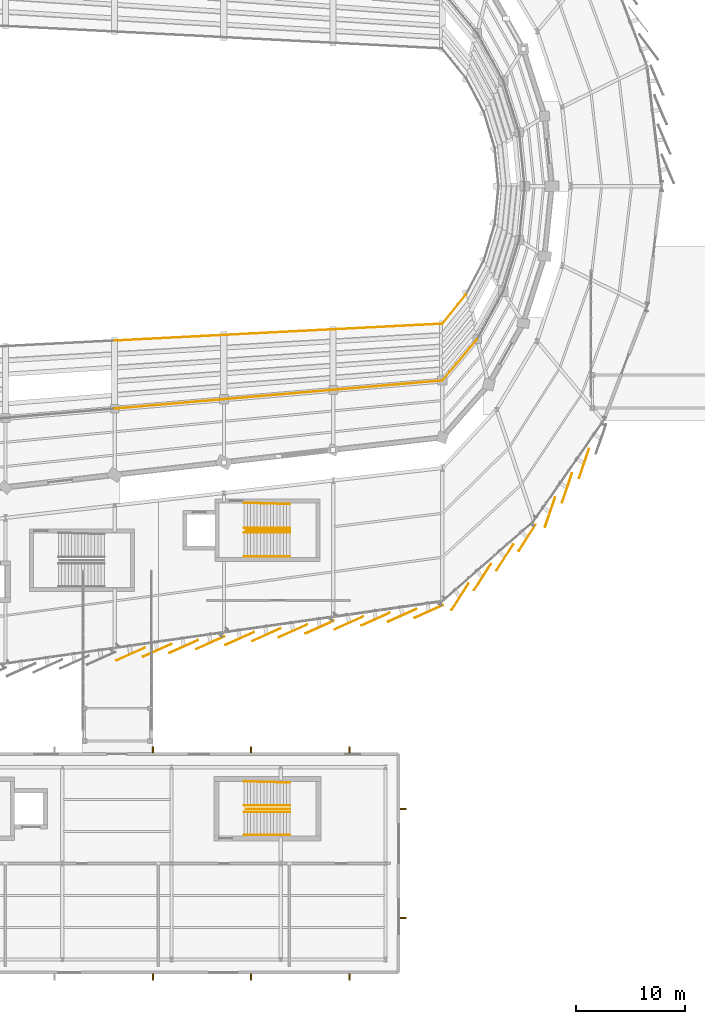
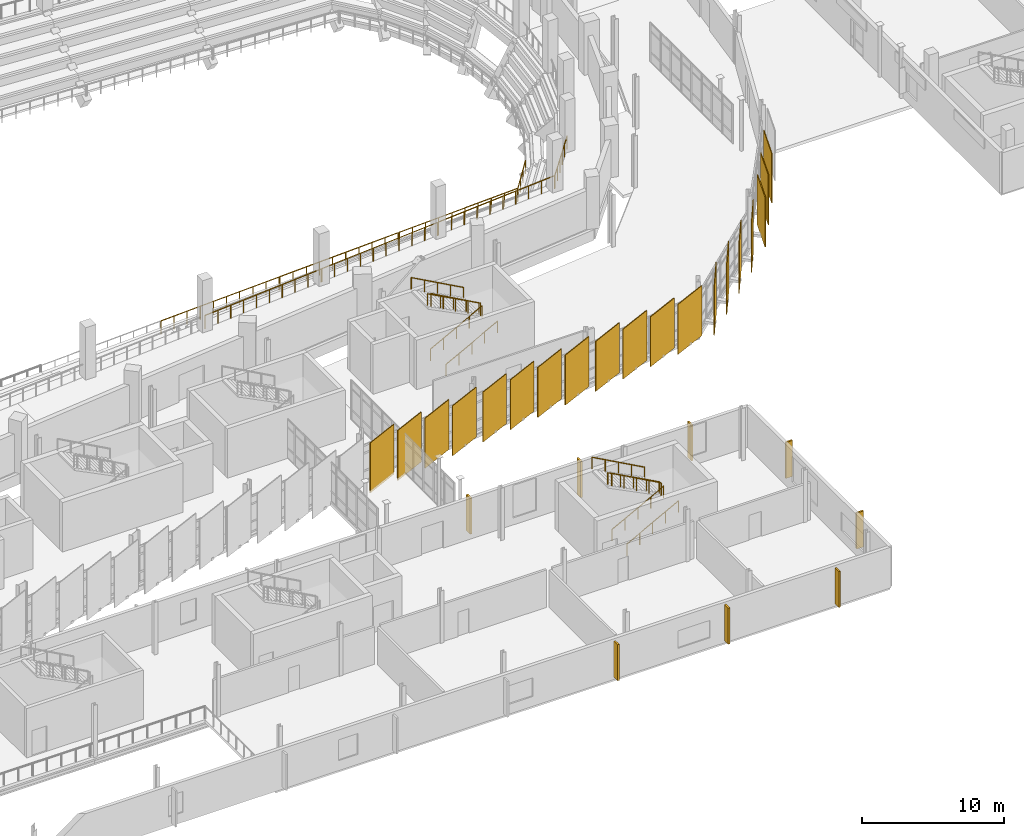
# One storey, part 130 of 134: 19 coverings, 18 railings, 8 shading devices.
"""IFC4 building model written with IfcOpenShell, lengths in metres."""

from ifc_helpers import new_model, si_unit, direction, frame, origin, origin_2d, place, context, subcontext, project, spatial, rectangle, circle, extrude, material, layer, layer_set, type_object, element, save


model = new_model("IFC4")

# Units and contexts
model_context = context("Model", 3, precision=1e-05, world=origin(), true_north=direction((0.0, 1.0)))
body_context = subcontext(model_context, "Body", "Model", "MODEL_VIEW")
ifc_project = project(units=[si_unit("LENGTHUNIT", "METRE"), si_unit("AREAUNIT", "SQUARE_METRE"), si_unit("VOLUMEUNIT", "CUBIC_METRE"), si_unit("PLANEANGLEUNIT", "RADIAN"), si_unit("MASSUNIT", "GRAM", prefix="KILO")], contexts=[model_context])

# Site, building, storey
site_placement = place(None, origin())
site = spatial("IfcSite", under=ifc_project, at=site_placement, CompositionType="ELEMENT")
building_placement = place(site_placement, origin())
building = spatial("IfcBuilding", under=site, at=building_placement, Name="Sohan Crest Arena", CompositionType="ELEMENT")
storey_placement = place(building_placement, frame((0.0, 0.0, 4.5)))
storey = spatial("IfcBuildingStorey", under=building, at=storey_placement, Name="L01", CompositionType="ELEMENT", Elevation=4.5)

# Railings
ifc_material_1 = material(Name="Powder-coated wrought steel balustrade", Category="steel")
railing_type_1 = type_object("IfcRailingType", Name="ARC-GRD-01", PredefinedType="GUARDRAIL", material=ifc_material_1)
for number, where, name in (
    (1, (154.030029296875, 46.5, 2.25), "Stair well slot guard GRD-052"),
    (2, (154.030029296875, 21.0, 2.25), "Stair well slot guard GRD-063"),
):
    element("IfcRailing", number, at=place(storey_placement, frame(where)), inside=storey, type_object=railing_type_1, Name=name, PredefinedType="GUARDRAIL", context=body_context, shape_type="SweptSolid", body=[
        extrude(circle(Radius=0.02392578125, at=origin_2d()), frame((0.0, 0.0, 1.076171875), z_axis=(-0.87313487534, 0.0, 0.487478706678), x_axis=(0.0, -1.0, 0.0)), (0.0, 0.0, 1.0), 4.615478515625),
        extrude(circle(Radius=0.02099609375, at=origin_2d()), origin(), (0.0, 0.0, 1.0), 1.052001953125),
        extrude(circle(Radius=0.02099609375, at=origin_2d()), frame((-1.007568359375, 0.0, 0.5625)), (0.0, 0.0, 1.0), 1.052001953125),
        extrude(circle(Radius=0.02099609375, at=origin_2d()), frame((-2.01513671875, 0.0, 1.125)), (0.0, 0.0, 1.0), 1.052001953125),
        extrude(circle(Radius=0.02099609375, at=origin_2d()), frame((-3.0224609375, 0.0, 1.6875)), (0.0, 0.0, 1.0), 1.052001953125),
        extrude(circle(Radius=0.02099609375, at=origin_2d()), frame((-4.030029296875, 0.0, 2.25)), (0.0, 0.0, 1.0), 1.052001953125),
    ])
ifc_material_2 = material(Name="Laminated glass and steel sightline guard", Category="steel")
railing_type_2 = type_object("IfcRailingType", Name="ARC-GRD-02", PredefinedType="GUARDRAIL", material=ifc_material_2)
railing_1_placement = place(storey_placement, frame((138.0400390625, 63.85888671875, -4.25)))
element("IfcRailing", 3, at=railing_1_placement, inside=storey, type_object=railing_type_2, Name="Courtside bowl crowd barrier GRD-139", PredefinedType="GUARDRAIL", context=body_context, shape_type="SweptSolid", body=[
    extrude(circle(Radius=0.02392578125, at=origin_2d()), frame((0.0, 0.0, 1.1259765625), z_axis=(0.998680982493, 0.051344865437, 0.0), x_axis=(-0.051344865437, 0.998680982493, 0.0)), (0.0, 0.0, 1.0), 9.93310546875),
    extrude(circle(Radius=0.02099609375, at=origin_2d()), origin(), (0.0, 0.0, 1.0), 1.101806640625),
    extrude(circle(Radius=0.02099609375, at=origin_2d()), frame((1.102294921875, 0.056640625, 0.0)), (0.0, 0.0, 1.0), 1.101806640625),
    extrude(circle(Radius=0.02099609375, at=origin_2d()), frame((2.204345703125, 0.11328125, 0.0)), (0.0, 0.0, 1.0), 1.101806640625),
    extrude(circle(Radius=0.02099609375, at=origin_2d()), frame((3.306640625, 0.169921875, 0.0)), (0.0, 0.0, 1.0), 1.101806640625),
    extrude(circle(Radius=0.02099609375, at=origin_2d()), frame((4.408935546875, 0.2265625, 0.0)), (0.0, 0.0, 1.0), 1.101806640625),
    extrude(circle(Radius=0.02099609375, at=origin_2d()), frame((5.510986328125, 0.283447265625, 0.0)), (0.0, 0.0, 1.0), 1.101806640625),
    extrude(circle(Radius=0.02099609375, at=origin_2d()), frame((6.61328125, 0.340087890625, 0.0)), (0.0, 0.0, 1.0), 1.101806640625),
    extrude(circle(Radius=0.02099609375, at=origin_2d()), frame((7.715576171875, 0.396728515625, 0.0)), (0.0, 0.0, 1.0), 1.101806640625),
    extrude(circle(Radius=0.02099609375, at=origin_2d()), frame((8.817626953125, 0.453369140625, 0.0)), (0.0, 0.0, 1.0), 1.101806640625),
    extrude(circle(Radius=0.02099609375, at=origin_2d()), frame((9.919921875, 0.510009765625, 0.0)), (0.0, 0.0, 1.0), 1.101806640625),
])
railing_2_placement = place(storey_placement, frame((148.0400390625, 64.373046875, -4.25)))
element("IfcRailing", 4, at=railing_2_placement, inside=storey, type_object=railing_type_2, Name="Courtside bowl crowd barrier GRD-140", PredefinedType="GUARDRAIL", context=body_context, shape_type="SweptSolid", body=[
    extrude(circle(Radius=0.02392578125, at=origin_2d()), frame((0.0, 0.0, 1.1259765625), z_axis=(0.998675936407, 0.051442920233, 0.0), x_axis=(-0.051442920233, 0.998675936407, 0.0)), (0.0, 0.0, 1.0), 9.93310546875),
    extrude(circle(Radius=0.02099609375, at=origin_2d()), origin(), (0.0, 0.0, 1.0), 1.101806640625),
    extrude(circle(Radius=0.02099609375, at=origin_2d()), frame((1.102294921875, 0.056884765625, 0.0)), (0.0, 0.0, 1.0), 1.101806640625),
    extrude(circle(Radius=0.02099609375, at=origin_2d()), frame((2.204345703125, 0.113525390625, 0.0)), (0.0, 0.0, 1.0), 1.101806640625),
    extrude(circle(Radius=0.02099609375, at=origin_2d()), frame((3.306640625, 0.17041015625, 0.0)), (0.0, 0.0, 1.0), 1.101806640625),
    extrude(circle(Radius=0.02099609375, at=origin_2d()), frame((4.408935546875, 0.22705078125, 0.0)), (0.0, 0.0, 1.0), 1.101806640625),
    extrude(circle(Radius=0.02099609375, at=origin_2d()), frame((5.510986328125, 0.283935546875, 0.0)), (0.0, 0.0, 1.0), 1.101806640625),
    extrude(circle(Radius=0.02099609375, at=origin_2d()), frame((6.61328125, 0.340576171875, 0.0)), (0.0, 0.0, 1.0), 1.101806640625),
    extrude(circle(Radius=0.02099609375, at=origin_2d()), frame((7.715576171875, 0.3974609375, 0.0)), (0.0, 0.0, 1.0), 1.101806640625),
    extrude(circle(Radius=0.02099609375, at=origin_2d()), frame((8.817626953125, 0.4541015625, 0.0)), (0.0, 0.0, 1.0), 1.101806640625),
    extrude(circle(Radius=0.02099609375, at=origin_2d()), frame((9.919921875, 0.510986328125, 0.0)), (0.0, 0.0, 1.0), 1.101806640625),
])
railing_3_placement = place(storey_placement, frame((158.0400390625, 64.887939453125, -4.25)))
element("IfcRailing", 5, at=railing_3_placement, inside=storey, type_object=railing_type_2, Name="Courtside bowl crowd barrier GRD-141", PredefinedType="GUARDRAIL", context=body_context, shape_type="SweptSolid", body=[
    extrude(circle(Radius=0.02392578125, at=origin_2d()), frame((0.0, 0.0, 1.1259765625), z_axis=(0.998680982493, 0.051344865437, 0.0), x_axis=(-0.051344865437, 0.998680982493, 0.0)), (0.0, 0.0, 1.0), 9.93310546875),
    extrude(circle(Radius=0.02099609375, at=origin_2d()), origin(), (0.0, 0.0, 1.0), 1.101806640625),
    extrude(circle(Radius=0.02099609375, at=origin_2d()), frame((1.102294921875, 0.056640625, 0.0)), (0.0, 0.0, 1.0), 1.101806640625),
    extrude(circle(Radius=0.02099609375, at=origin_2d()), frame((2.204345703125, 0.11328125, 0.0)), (0.0, 0.0, 1.0), 1.101806640625),
    extrude(circle(Radius=0.02099609375, at=origin_2d()), frame((3.306640625, 0.169921875, 0.0)), (0.0, 0.0, 1.0), 1.101806640625),
    extrude(circle(Radius=0.02099609375, at=origin_2d()), frame((4.408935546875, 0.2265625, 0.0)), (0.0, 0.0, 1.0), 1.101806640625),
    extrude(circle(Radius=0.02099609375, at=origin_2d()), frame((5.510986328125, 0.283447265625, 0.0)), (0.0, 0.0, 1.0), 1.101806640625),
    extrude(circle(Radius=0.02099609375, at=origin_2d()), frame((6.61328125, 0.340087890625, 0.0)), (0.0, 0.0, 1.0), 1.101806640625),
    extrude(circle(Radius=0.02099609375, at=origin_2d()), frame((7.715576171875, 0.396728515625, 0.0)), (0.0, 0.0, 1.0), 1.101806640625),
    extrude(circle(Radius=0.02099609375, at=origin_2d()), frame((8.817626953125, 0.453369140625, 0.0)), (0.0, 0.0, 1.0), 1.101806640625),
    extrude(circle(Radius=0.02099609375, at=origin_2d()), frame((9.919921875, 0.510009765625, 0.0)), (0.0, 0.0, 1.0), 1.101806640625),
])
railing_4_placement = place(storey_placement, frame((168.02490234375, 65.430908203125, -4.25)))
element("IfcRailing", 6, at=railing_4_placement, inside=storey, type_object=railing_type_2, Name="Courtside bowl crowd barrier GRD-142", PredefinedType="GUARDRAIL", context=body_context, shape_type="SweptSolid", body=[
    extrude(circle(Radius=0.02392578125, at=origin_2d()), frame((0.0, 0.0, 1.1259765625), z_axis=(0.627533719877, 0.778589384989, 0.0), x_axis=(-0.778589384989, 0.627533719877, 0.0)), (0.0, 0.0, 1.0), 3.40380859375),
    extrude(circle(Radius=0.02099609375, at=origin_2d()), origin(), (0.0, 0.0, 1.0), 1.101806640625),
    extrude(circle(Radius=0.02099609375, at=origin_2d()), frame((0.7119140625, 0.88330078125, 0.0)), (0.0, 0.0, 1.0), 1.101806640625),
    extrude(circle(Radius=0.02099609375, at=origin_2d()), frame((1.424072265625, 1.766845703125, 0.0)), (0.0, 0.0, 1.0), 1.101806640625),
    extrude(circle(Radius=0.02099609375, at=origin_2d()), frame((2.135986328125, 2.650146484375, 0.0)), (0.0, 0.0, 1.0), 1.101806640625),
])
railing_5_placement = place(storey_placement, frame((138.0400390625, 57.632080078125, 0.0)))
element("IfcRailing", 7, at=railing_5_placement, inside=storey, type_object=railing_type_2, Name="Bowl gallery edge guard GRD-200", PredefinedType="GUARDRAIL", context=body_context, shape_type="SweptSolid", body=[
    extrude(circle(Radius=0.02392578125, at=origin_2d()), frame((0.0, 0.0, 1.1259765625), z_axis=(0.996341938042, 0.085456085206, 0.0), x_axis=(-0.085456085206, 0.996341938042, 0.0)), (0.0, 0.0, 1.0), 9.956298828125),
    extrude(circle(Radius=0.02099609375, at=origin_2d()), origin(), (0.0, 0.0, 1.0), 1.101806640625),
    extrude(circle(Radius=0.02099609375, at=origin_2d()), frame((1.102294921875, 0.094482421875, 0.0)), (0.0, 0.0, 1.0), 1.101806640625),
    extrude(circle(Radius=0.02099609375, at=origin_2d()), frame((2.204345703125, 0.18896484375, 0.0)), (0.0, 0.0, 1.0), 1.101806640625),
    extrude(circle(Radius=0.02099609375, at=origin_2d()), frame((3.306640625, 0.28369140625, 0.0)), (0.0, 0.0, 1.0), 1.101806640625),
    extrude(circle(Radius=0.02099609375, at=origin_2d()), frame((4.408935546875, 0.378173828125, 0.0)), (0.0, 0.0, 1.0), 1.101806640625),
    extrude(circle(Radius=0.02099609375, at=origin_2d()), frame((5.510986328125, 0.47265625, 0.0)), (0.0, 0.0, 1.0), 1.101806640625),
    extrude(circle(Radius=0.02099609375, at=origin_2d()), frame((6.61328125, 0.567138671875, 0.0)), (0.0, 0.0, 1.0), 1.101806640625),
    extrude(circle(Radius=0.02099609375, at=origin_2d()), frame((7.715576171875, 0.661865234375, 0.0)), (0.0, 0.0, 1.0), 1.101806640625),
    extrude(circle(Radius=0.02099609375, at=origin_2d()), frame((8.817626953125, 0.75634765625, 0.0)), (0.0, 0.0, 1.0), 1.101806640625),
    extrude(circle(Radius=0.02099609375, at=origin_2d()), frame((9.919921875, 0.850830078125, 0.0)), (0.0, 0.0, 1.0), 1.101806640625),
])
for number, where, name in (
    (8, (148.0400390625, 58.489013671875, 0.0), "Bowl gallery edge guard GRD-201"),
    (9, (158.0400390625, 59.345947265625, 0.0), "Bowl gallery edge guard GRD-202"),
):
    element("IfcRailing", number, at=place(storey_placement, frame(where)), inside=storey, type_object=railing_type_2, Name=name, PredefinedType="GUARDRAIL", context=body_context, shape_type="SweptSolid", body=[
        extrude(circle(Radius=0.02392578125, at=origin_2d()), frame((0.0, 0.0, 1.1259765625), z_axis=(0.996339849936, 0.085480427173, 0.0), x_axis=(-0.085480427173, 0.996339849936, 0.0)), (0.0, 0.0, 1.0), 9.956298828125),
        extrude(circle(Radius=0.02099609375, at=origin_2d()), origin(), (0.0, 0.0, 1.0), 1.101806640625),
        extrude(circle(Radius=0.02099609375, at=origin_2d()), frame((1.102294921875, 0.094482421875, 0.0)), (0.0, 0.0, 1.0), 1.101806640625),
        extrude(circle(Radius=0.02099609375, at=origin_2d()), frame((2.204345703125, 0.189208984375, 0.0)), (0.0, 0.0, 1.0), 1.101806640625),
        extrude(circle(Radius=0.02099609375, at=origin_2d()), frame((3.306640625, 0.28369140625, 0.0)), (0.0, 0.0, 1.0), 1.101806640625),
        extrude(circle(Radius=0.02099609375, at=origin_2d()), frame((4.408935546875, 0.378173828125, 0.0)), (0.0, 0.0, 1.0), 1.101806640625),
        extrude(circle(Radius=0.02099609375, at=origin_2d()), frame((5.510986328125, 0.472900390625, 0.0)), (0.0, 0.0, 1.0), 1.101806640625),
        extrude(circle(Radius=0.02099609375, at=origin_2d()), frame((6.61328125, 0.5673828125, 0.0)), (0.0, 0.0, 1.0), 1.101806640625),
        extrude(circle(Radius=0.02099609375, at=origin_2d()), frame((7.715576171875, 0.661865234375, 0.0)), (0.0, 0.0, 1.0), 1.101806640625),
        extrude(circle(Radius=0.02099609375, at=origin_2d()), frame((8.817626953125, 0.756591796875, 0.0)), (0.0, 0.0, 1.0), 1.101806640625),
        extrude(circle(Radius=0.02099609375, at=origin_2d()), frame((9.919921875, 0.85107421875, 0.0)), (0.0, 0.0, 1.0), 1.101806640625),
    ])
railing_6_placement = place(storey_placement, frame((168.02587890625, 60.23095703125, 0.0)))
element("IfcRailing", 10, at=railing_6_placement, inside=storey, type_object=railing_type_2, Name="Bowl gallery edge guard GRD-203", PredefinedType="GUARDRAIL", context=body_context, shape_type="SweptSolid", body=[
    extrude(circle(Radius=0.02392578125, at=origin_2d()), frame((0.0, 0.0, 1.1259765625), z_axis=(0.644656953224, 0.764471982914, 0.0), x_axis=(-0.764471982914, 0.644656953224, 0.0)), (0.0, 0.0, 1.0), 4.8740234375),
    extrude(circle(Radius=0.02099609375, at=origin_2d()), origin(), (0.0, 0.0, 1.0), 1.101806640625),
    extrude(circle(Radius=0.02099609375, at=origin_2d()), frame((0.62841796875, 0.7451171875, 0.0)), (0.0, 0.0, 1.0), 1.101806640625),
    extrude(circle(Radius=0.02099609375, at=origin_2d()), frame((1.2568359375, 1.490478515625, 0.0)), (0.0, 0.0, 1.0), 1.101806640625),
    extrude(circle(Radius=0.02099609375, at=origin_2d()), frame((1.88525390625, 2.235595703125, 0.0)), (0.0, 0.0, 1.0), 1.101806640625),
    extrude(circle(Radius=0.02099609375, at=origin_2d()), frame((2.513671875, 2.98095703125, 0.0)), (0.0, 0.0, 1.0), 1.101806640625),
    extrude(circle(Radius=0.02099609375, at=origin_2d()), frame((3.14208984375, 3.72607421875, 0.0)), (0.0, 0.0, 1.0), 1.101806640625),
])
ifc_material_3 = material(Name="Brushed stainless steel stair handrail", Category="steel")
railing_type_3 = type_object("IfcRailingType", Name="ARC-HR-01", PredefinedType="HANDRAIL", material=ifc_material_3)
for number, where, name in (
    (11, (149.85009765625, 44.110107421875, 0.0), "Stair pitch handrail HR-173"),
    (12, (149.85009765625, 46.2900390625, 0.0), "Stair pitch handrail HR-174"),
):
    element("IfcRailing", number, at=place(storey_placement, frame(where)), inside=storey, type_object=railing_type_3, Name=name, PredefinedType="HANDRAIL", context=body_context, shape_type="SweptSolid", body=[
        extrude(circle(Radius=0.02392578125, at=origin_2d()), frame((0.0, 0.0, 0.97607421875), z_axis=(0.881477684796, 0.0, 0.472225678258), x_axis=(0.0, 1.0, 0.0)), (0.0, 0.0, 1.0), 4.7646484375),
        extrude(circle(Radius=0.02099609375, at=origin_2d()), origin(), (0.0, 0.0, 1.0), 0.951904296875),
        extrude(circle(Radius=0.02099609375, at=origin_2d()), frame((1.050048828125, 0.0, 0.5625)), (0.0, 0.0, 1.0), 0.951904296875),
        extrude(circle(Radius=0.02099609375, at=origin_2d()), frame((2.10009765625, 0.0, 1.125)), (0.0, 0.0, 1.0), 0.951904296875),
        extrude(circle(Radius=0.02099609375, at=origin_2d()), frame((3.14990234375, 0.0, 1.6875)), (0.0, 0.0, 1.0), 0.951904296875),
        extrude(circle(Radius=0.02099609375, at=origin_2d()), frame((4.199951171875, 0.0, 2.25)), (0.0, 0.0, 1.0), 0.951904296875),
    ])
railing_7_placement = place(storey_placement, frame((154.050048828125, 46.7099609375, 2.25)))
element("IfcRailing", 13, at=railing_7_placement, inside=storey, type_object=railing_type_3, Name="Stair pitch handrail HR-175", PredefinedType="HANDRAIL", context=body_context, shape_type="SweptSolid", body=[
    extrude(circle(Radius=0.02392578125, at=origin_2d()), frame((0.0, 0.0, 0.97607421875), z_axis=(-0.881477684796, 0.0, 0.472225678258), x_axis=(0.0, -1.0, 0.0)), (0.0, 0.0, 1.0), 4.7646484375),
    extrude(circle(Radius=0.02099609375, at=origin_2d()), origin(), (0.0, 0.0, 1.0), 0.951904296875),
    extrude(circle(Radius=0.02099609375, at=origin_2d()), frame((-1.050048828125, 0.0, 0.5625)), (0.0, 0.0, 1.0), 0.951904296875),
    extrude(circle(Radius=0.02099609375, at=origin_2d()), frame((-2.10009765625, 0.0, 1.125)), (0.0, 0.0, 1.0), 0.951904296875),
    extrude(circle(Radius=0.02099609375, at=origin_2d()), frame((-3.14990234375, 0.0, 1.6875)), (0.0, 0.0, 1.0), 0.951904296875),
    extrude(circle(Radius=0.02099609375, at=origin_2d()), frame((-4.199951171875, 0.0, 2.25)), (0.0, 0.0, 1.0), 0.951904296875),
])
railing_8_placement = place(storey_placement, frame((154.050048828125, 48.889892578125, 2.25)))
element("IfcRailing", 14, at=railing_8_placement, inside=storey, type_object=railing_type_3, Name="Stair pitch handrail HR-176", PredefinedType="HANDRAIL", context=body_context, shape_type="SweptSolid", body=[
    extrude(circle(Radius=0.02392578125, at=origin_2d()), frame((0.0, 0.0, 0.97607421875), z_axis=(-0.881197710057, 0.025201957411, 0.472075690047), x_axis=(-0.028587973606, -0.999591280357, 0.0)), (0.0, 0.0, 1.0), 4.76611328125),
    extrude(circle(Radius=0.02099609375, at=origin_2d()), origin(), (0.0, 0.0, 1.0), 0.951904296875),
    extrude(circle(Radius=0.02099609375, at=origin_2d()), frame((-1.050048828125, 0.030029296875, 0.5625)), (0.0, 0.0, 1.0), 0.951904296875),
    extrude(circle(Radius=0.02099609375, at=origin_2d()), frame((-2.10009765625, 0.06005859375, 1.125)), (0.0, 0.0, 1.0), 0.951904296875),
    extrude(circle(Radius=0.02099609375, at=origin_2d()), frame((-3.14990234375, 0.090087890625, 1.6875)), (0.0, 0.0, 1.0), 0.951904296875),
    extrude(circle(Radius=0.02099609375, at=origin_2d()), frame((-4.199951171875, 0.1201171875, 2.25)), (0.0, 0.0, 1.0), 0.951904296875),
])
for number, where, name in (
    (15, (149.85009765625, 18.610107421875, 0.0), "Stair pitch handrail HR-209"),
    (16, (149.85009765625, 20.68994140625, 0.0), "Stair pitch handrail HR-210"),
):
    element("IfcRailing", number, at=place(storey_placement, frame(where)), inside=storey, type_object=railing_type_3, Name=name, PredefinedType="HANDRAIL", context=body_context, shape_type="SweptSolid", body=[
        extrude(circle(Radius=0.02392578125, at=origin_2d()), frame((0.0, 0.0, 0.97607421875), z_axis=(0.881477684796, 0.0, 0.472225678258), x_axis=(0.0, 1.0, 0.0)), (0.0, 0.0, 1.0), 4.7646484375),
        extrude(circle(Radius=0.02099609375, at=origin_2d()), origin(), (0.0, 0.0, 1.0), 0.951904296875),
        extrude(circle(Radius=0.02099609375, at=origin_2d()), frame((1.050048828125, 0.0, 0.5625)), (0.0, 0.0, 1.0), 0.951904296875),
        extrude(circle(Radius=0.02099609375, at=origin_2d()), frame((2.10009765625, 0.0, 1.125)), (0.0, 0.0, 1.0), 0.951904296875),
        extrude(circle(Radius=0.02099609375, at=origin_2d()), frame((3.14990234375, 0.0, 1.6875)), (0.0, 0.0, 1.0), 0.951904296875),
        extrude(circle(Radius=0.02099609375, at=origin_2d()), frame((4.199951171875, 0.0, 2.25)), (0.0, 0.0, 1.0), 0.951904296875),
    ])
railing_9_placement = place(storey_placement, frame((154.050048828125, 21.31005859375, 2.25)))
element("IfcRailing", 17, at=railing_9_placement, inside=storey, type_object=railing_type_3, Name="Stair pitch handrail HR-211", PredefinedType="HANDRAIL", context=body_context, shape_type="SweptSolid", body=[
    extrude(circle(Radius=0.02392578125, at=origin_2d()), frame((0.0, 0.0, 0.97607421875), z_axis=(-0.881477684796, 0.0, 0.472225678258), x_axis=(0.0, -1.0, 0.0)), (0.0, 0.0, 1.0), 4.7646484375),
    extrude(circle(Radius=0.02099609375, at=origin_2d()), origin(), (0.0, 0.0, 1.0), 0.951904296875),
    extrude(circle(Radius=0.02099609375, at=origin_2d()), frame((-1.050048828125, 0.0, 0.5625)), (0.0, 0.0, 1.0), 0.951904296875),
    extrude(circle(Radius=0.02099609375, at=origin_2d()), frame((-2.10009765625, 0.0, 1.125)), (0.0, 0.0, 1.0), 0.951904296875),
    extrude(circle(Radius=0.02099609375, at=origin_2d()), frame((-3.14990234375, 0.0, 1.6875)), (0.0, 0.0, 1.0), 0.951904296875),
    extrude(circle(Radius=0.02099609375, at=origin_2d()), frame((-4.199951171875, 0.0, 2.25)), (0.0, 0.0, 1.0), 0.951904296875),
])
railing_10_placement = place(storey_placement, frame((154.050048828125, 23.389892578125, 2.25)))
element("IfcRailing", 18, at=railing_10_placement, inside=storey, type_object=railing_type_3, Name="Stair pitch handrail HR-212", PredefinedType="HANDRAIL", context=body_context, shape_type="SweptSolid", body=[
    extrude(circle(Radius=0.02392578125, at=origin_2d()), frame((0.0, 0.0, 0.97607421875), z_axis=(-0.881197710057, 0.025201957411, 0.472075690047), x_axis=(-0.028587973606, -0.999591280357, 0.0)), (0.0, 0.0, 1.0), 4.76611328125),
    extrude(circle(Radius=0.02099609375, at=origin_2d()), origin(), (0.0, 0.0, 1.0), 0.951904296875),
    extrude(circle(Radius=0.02099609375, at=origin_2d()), frame((-1.050048828125, 0.030029296875, 0.5625)), (0.0, 0.0, 1.0), 0.951904296875),
    extrude(circle(Radius=0.02099609375, at=origin_2d()), frame((-2.10009765625, 0.06005859375, 1.125)), (0.0, 0.0, 1.0), 0.951904296875),
    extrude(circle(Radius=0.02099609375, at=origin_2d()), frame((-3.14990234375, 0.090087890625, 1.6875)), (0.0, 0.0, 1.0), 0.951904296875),
    extrude(circle(Radius=0.02099609375, at=origin_2d()), frame((-4.199951171875, 0.1201171875, 2.25)), (0.0, 0.0, 1.0), 0.951904296875),
])

# Shading devices
ifc_material_4 = material(Name="Glazed terracotta ceramic solar fin", Category="masonry")
ifc_layer_1 = layer(ifc_material_4, 0.070068359375, Name="Glazed terracotta ceramic solar fin")
ifc_layer_set_1 = layer_set([ifc_layer_1], Name="Glazed terracotta ceramic solar fin")
shading_device_type = type_object("IfcShadingDeviceType", Name="ARC-SHD-FIN1", PredefinedType="USERDEFINED", material=ifc_layer_set_1)
for number, where, z_axis, x_axis, name in (
    (19, (141.5, 5.60009765625, 0.199951171875), (0.0, 0.0, 1.0), (1.0, 0.0, 0.0), "Catalan terracotta facade fin FIN-058"),
    (20, (150.5, 5.60009765625, 0.199951171875), (0.0, 0.0, 1.0), (1.0, 0.0, 0.0), "Catalan terracotta facade fin FIN-059"),
    (21, (159.5, 5.60009765625, 0.199951171875), (0.0, 0.0, 1.0), (1.0, 0.0, 0.0), "Catalan terracotta facade fin FIN-060"),
    (22, (164.39990234375, 11.0, 0.199951171875), (0.0, 0.0, 1.0), (0.0, 1.0, 0.0), "Catalan terracotta facade fin FIN-061"),
    (23, (164.39990234375, 21.0, 0.199951171875), (0.0, 0.0, 1.0), (0.0, 1.0, 0.0), "Catalan terracotta facade fin FIN-062"),
    (24, (159.5, 26.39990234375, 0.199951171875), (0.0, 0.0, 1.0), (-1.0, 0.0, 0.0), "Catalan terracotta facade fin FIN-063"),
    (25, (150.5, 26.39990234375, 0.199951171875), (0.0, 0.0, 1.0), (-1.0, 0.0, 0.0), "Catalan terracotta facade fin FIN-064"),
    (26, (141.5, 26.39990234375, 0.199951171875), (0.0, 0.0, 1.0), (-1.0, 0.0, 0.0), "Catalan terracotta facade fin FIN-065"),
):
    element("IfcShadingDevice", number, at=place(storey_placement, frame(where, z_axis=z_axis, x_axis=x_axis)), inside=storey, type_object=shading_device_type, Name=name, ObjectType="FIN", PredefinedType="USERDEFINED", context=body_context, shape_type="SweptSolid", body=[
        extrude(rectangle(XDim=0.139892578125, YDim=0.550048828125, at=origin_2d()), origin(), (0.0, 0.0, 1.0), 3.10009765625),
    ])

# Coverings
ifc_material_5 = material(Name="Glazed ivory trencadis ceramic cladding", Category="masonry")
ifc_layer_2 = layer(ifc_material_5, 0.06494140625, Name="Glazed ivory trencadis ceramic cladding")
ifc_layer_set_2 = layer_set([ifc_layer_2], Name="Glazed ivory trencadis ceramic cladding")
covering_type_1 = type_object("IfcCoveringType", Name="COV-SC-IV", PredefinedType="CLADDING", material=ifc_layer_set_2)
for number, where, z_axis, x_axis, name in (
    (27, (139.4541015625, 35.154052734375, -0.2001953125), (0.0, 0.0, 1.0), (0.912834177233, 0.408330460381, 0.0), "Rotated trencadis ceramic scale panel SC-0067"),
    (28, (141.889892578125, 35.501953125, -0.2001953125), (0.0, 0.0, 1.0), (0.912834177233, 0.408330460381, 0.0), "Rotated trencadis ceramic scale panel SC-0068"),
    (29, (144.324951171875, 35.85009765625, -0.2001953125), (0.0, 0.0, 1.0), (0.912834177233, 0.408330460381, 0.0), "Rotated trencadis ceramic scale panel SC-0069"),
    (30, (146.760986328125, 36.198974609375, -0.2001953125), (0.0, 0.0, 1.0), (0.912834177233, 0.408330460381, 0.0), "Rotated trencadis ceramic scale panel SC-0070"),
    (31, (149.4541015625, 36.5830078125, -0.2001953125), (0.0, 0.0, 1.0), (0.912834177233, 0.408330460381, 0.0), "Rotated trencadis ceramic scale panel SC-0071"),
    (32, (151.889892578125, 36.930908203125, -0.2001953125), (0.0, 0.0, 1.0), (0.912834177233, 0.408330460381, 0.0), "Rotated trencadis ceramic scale panel SC-0072"),
    (33, (154.324951171875, 37.279052734375, -0.2001953125), (0.0, 0.0, 1.0), (0.912834177233, 0.408330460381, 0.0), "Rotated trencadis ceramic scale panel SC-0073"),
    (34, (159.4541015625, 38.010986328125, -0.2001953125), (0.0, 0.0, 1.0), (0.912834177233, 0.408330460381, 0.0), "Rotated trencadis ceramic scale panel SC-0075"),
    (35, (161.889892578125, 38.35888671875, -0.2001953125), (0.0, 0.0, 1.0), (0.912834177233, 0.408330460381, 0.0), "Rotated trencadis ceramic scale panel SC-0076"),
    (36, (166.760986328125, 39.055908203125, -0.2001953125), (0.0, 0.0, 1.0), (0.912834177233, 0.408330460381, 0.0), "Rotated trencadis ceramic scale panel SC-0078"),
    (37, (169.623046875, 40.4130859375, -0.2001953125), (0.0, 0.0, 1.0), (0.540240320478, 0.841510781945, 0.0), "Rotated trencadis ceramic scale panel SC-0079"),
    (38, (173.716064453125, 44.00390625, -0.2001953125), (0.0, 0.0, 1.0), (0.540240320478, 0.841510781945, 0.0), "Rotated trencadis ceramic scale panel SC-0081"),
    (39, (175.762939453125, 45.800048828125, -0.2001953125), (0.0, 0.0, 1.0), (0.540240320478, 0.841510781945, 0.0), "Rotated trencadis ceramic scale panel SC-0082"),
    (40, (179.4130859375, 50.381103515625, -0.2001953125), (0.0, 0.0, 1.0), (0.322265695231, 0.946649260116, 0.0), "Rotated trencadis ceramic scale panel SC-0084"),
    (41, (180.967041015625, 52.616943359375, -0.2001953125), (0.0, 0.0, 1.0), (0.322265695231, 0.946649260116, 0.0), "Rotated trencadis ceramic scale panel SC-0085"),
):
    element("IfcCovering", number, at=place(storey_placement, frame(where, z_axis=z_axis, x_axis=x_axis)), inside=storey, type_object=covering_type_1, Name=name, PredefinedType="CLADDING", context=body_context, shape_type="SweptSolid", body=[
        extrude(rectangle(XDim=2.85009765625, YDim=0.06494140625, at=origin_2d()), origin(), (0.0, 0.0, 1.0), 4.300048828125),
    ])
ifc_material_6 = material(Name="Glazed terracotta trencadis ceramic cladding", Category="masonry")
ifc_layer_3 = layer(ifc_material_6, 0.074951171875, Name="Glazed terracotta trencadis ceramic cladding")
ifc_layer_set_3 = layer_set([ifc_layer_3], Name="Glazed terracotta trencadis ceramic cladding")
covering_type_2 = type_object("IfcCoveringType", Name="COV-SC-TC", PredefinedType="CLADDING", material=ifc_layer_set_3)
for number, where, z_axis, x_axis, name in (
    (42, (156.760986328125, 37.626953125, -0.2001953125), (0.0, 0.0, 1.0), (0.912834177233, 0.408330460381, 0.0), "Rotated trencadis ceramic scale panel SC-0074"),
    (43, (164.324951171875, 38.70703125, -0.2001953125), (0.0, 0.0, 1.0), (0.912834177233, 0.408330460381, 0.0), "Rotated trencadis ceramic scale panel SC-0077"),
    (44, (171.6689453125, 42.2080078125, -0.2001953125), (0.0, 0.0, 1.0), (0.540240320478, 0.841510781945, 0.0), "Rotated trencadis ceramic scale panel SC-0080"),
    (45, (177.85791015625, 48.14599609375, -0.2001953125), (0.0, 0.0, 1.0), (0.322265695231, 0.946649260116, 0.0), "Rotated trencadis ceramic scale panel SC-0083"),
):
    element("IfcCovering", number, at=place(storey_placement, frame(where, z_axis=z_axis, x_axis=x_axis)), inside=storey, type_object=covering_type_2, Name=name, PredefinedType="CLADDING", context=body_context, shape_type="SweptSolid", body=[
        extrude(rectangle(XDim=2.85009765625, YDim=0.074951171875, at=origin_2d()), origin(), (0.0, 0.0, 1.0), 4.300048828125),
    ])

save(model, "model.ifc")
